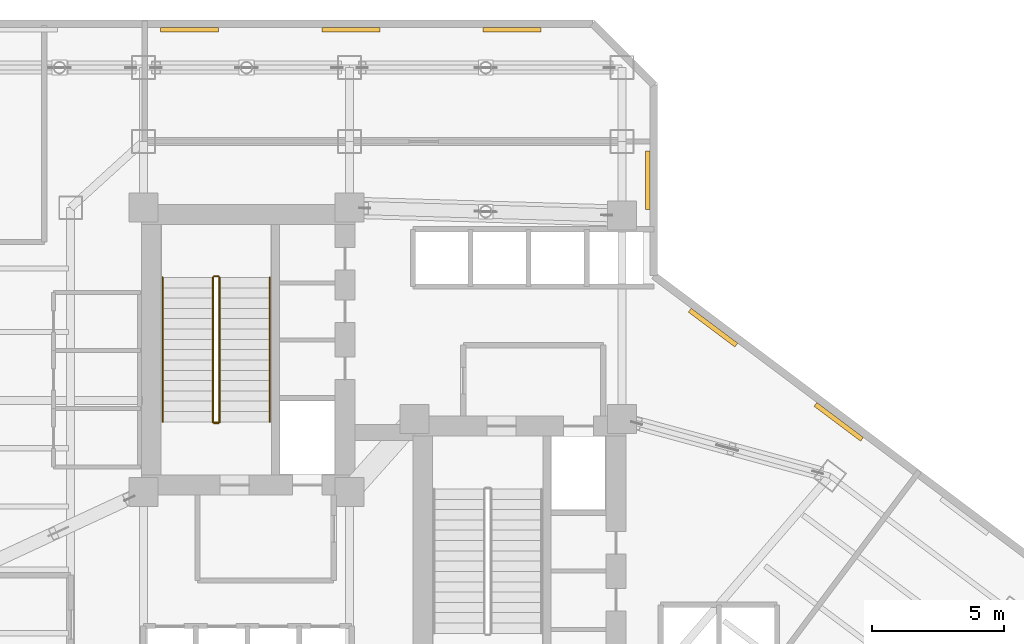
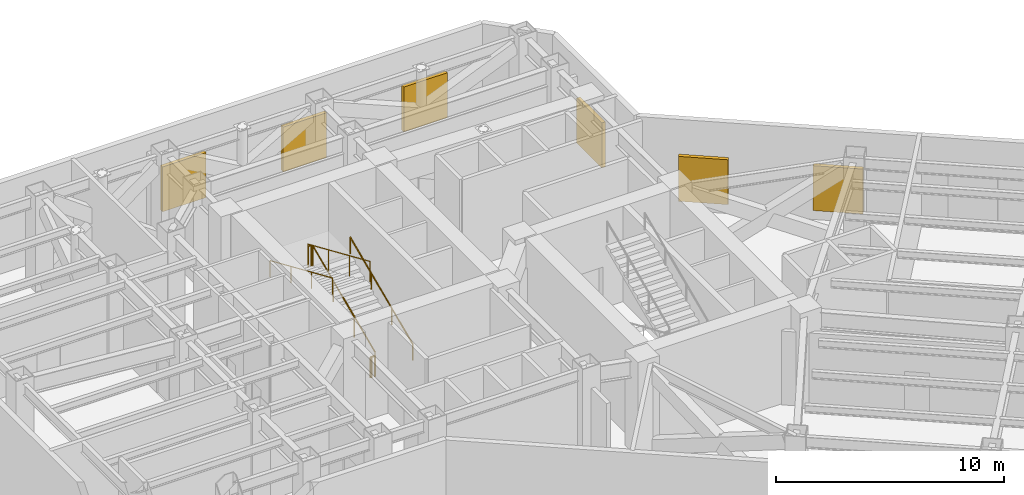
# One storey, part 14 of 14: 7 railings, 6 shading devices.
"""IFC4 building model written with IfcOpenShell, lengths in metres."""

import ifcopenshell
import ifcopenshell.guid

model = None  # the IFC model being written
_history = None  # IfcOwnerHistory: only IFC2X3 demands one
_inside = {}  # id of a spatial element -> (the spatial element, [elements in it])
_under = {}  # id of a project, library or spatial element -> (it, [spatial elements below it])
_declared = {}  # id of a project -> (the project, [libraries it declares])
_typed = {}  # id of a type object -> (the type object, [elements of that type])
_made_of = {}  # id of a material, layer set ... -> (it, [elements and type objects made of it])


def new_model(schema):
    """Start an empty IFC model of exactly this schema.

    Asked for "IFC4X3", IfcOpenShell would pick the latest addendum, in which some entities
    have other attributes; the version numbers below select the first issue.
    IFC2X3 requires an IfcOwnerHistory on every rooted entity: one is made here for all.
    """
    global model, _history
    if schema == "IFC4X3":
        model = ifcopenshell.file(schema_version=(4, 3, 0, 0))
    else:
        model = ifcopenshell.file(schema=schema)
    _inside.clear()
    _under.clear()
    _declared.clear()
    _typed.clear()
    _made_of.clear()
    _history = None
    if model.schema == "IFC2X3":
        org = make("IfcOrganization", Name="unknown")
        user = make(
            "IfcPersonAndOrganization",
            ThePerson=make("IfcPerson", FamilyName="unknown"),
            TheOrganization=org,
        )
        app = make(
            "IfcApplication",
            ApplicationDeveloper=org,
            Version="unknown",
            ApplicationFullName="unknown",
            ApplicationIdentifier="unknown",
        )
        _history = make(
            "IfcOwnerHistory",
            OwningUser=user,
            OwningApplication=app,
            ChangeAction="ADDED",
            CreationDate=0,
        )
    return model


def make(cls, **values):
    """One entity of the class cls with the attributes given. An attribute that is None is left unset."""
    return model.create_entity(
        cls, **{name: value for name, value in values.items() if value is not None}
    )


def rooted(cls, **values):
    """An entity with a GlobalId (a new one), such as an element, a storey or a relation."""
    return make(cls, GlobalId=ifcopenshell.guid.new(), OwnerHistory=_history, **values)


def si_unit(unit_type, name, prefix=None):
    """IfcSIUnit, for example si_unit("LENGTHUNIT", "METRE", prefix="MILLI")."""
    return make("IfcSIUnit", UnitType=unit_type, Prefix=prefix, Name=name)


def assignment(units):
    """IfcUnitAssignment: the units of a project."""
    return None if units is None else make("IfcUnitAssignment", Units=units)


def point(xyz):
    """IfcCartesianPoint."""
    return None if xyz is None else make("IfcCartesianPoint", Coordinates=xyz)


def direction(xyz):
    """IfcDirection."""
    return None if xyz is None else make("IfcDirection", DirectionRatios=xyz)


def frame(location, z_axis=None, x_axis=None):
    """IfcAxis2Placement3D, a coordinate frame: its origin and axes. An axis left out is left unset."""
    return make(
        "IfcAxis2Placement3D",
        Location=point(location),
        Axis=direction(z_axis),
        RefDirection=direction(x_axis),
    )


def frame_2d(location, x_axis=None):
    """IfcAxis2Placement2D, a coordinate frame in the plane: its origin and x axis."""
    return make(
        "IfcAxis2Placement2D", Location=point(location), RefDirection=direction(x_axis)
    )


def origin():
    """The frame at (0, 0, 0) with its axes left unset."""
    return frame((0.0, 0.0, 0.0))


def origin_2d():
    """The frame at (0, 0) in the plane with its x axis left unset."""
    return frame_2d((0.0, 0.0))


def place(relative_to, where):
    """IfcLocalPlacement: puts the frame where relative to a parent placement (None: the world)."""
    return make(
        "IfcLocalPlacement", PlacementRelTo=relative_to, RelativePlacement=where
    )


def context(
    kind, dimensions, precision=None, world=None, true_north=None, identifier=None
):
    """IfcGeometricRepresentationContext, for example the 3D "Model" context."""
    return make(
        "IfcGeometricRepresentationContext",
        ContextIdentifier=identifier,
        ContextType=kind,
        CoordinateSpaceDimension=dimensions,
        Precision=precision,
        WorldCoordinateSystem=world,
        TrueNorth=true_north,
    )


def subcontext(parent, identifier, kind, view, scale=None):
    """IfcGeometricRepresentationSubContext, for example "Body" below "Model"."""
    return make(
        "IfcGeometricRepresentationSubContext",
        ContextIdentifier=identifier,
        ContextType=kind,
        ParentContext=parent,
        TargetScale=scale,
        TargetView=view,
    )


def project(units=None, contexts=None):
    """IfcProject with its units and contexts."""
    return rooted(
        "IfcProject",
        Name="project",
        RepresentationContexts=contexts,
        UnitsInContext=assignment(units),
    )


def spatial(cls, under=None, at=None, **own):
    """A site, building, storey or space (cls), placed at a placement, below another one or the project."""
    s = rooted(cls, ObjectPlacement=at, **own)
    if under is not None:
        _under.setdefault(under.id(), (under, []))[1].append(s)
    return s


def profile(cls, at=None, kind="AREA", **sizes):
    """A parametric profile (cls). Its sizes go by their IFC names, for example OverallWidth=200.0."""
    return make(cls, ProfileType=kind, Position=at, **sizes)


def rectangle(**sizes):
    """IfcRectangleProfileDef."""
    return profile("IfcRectangleProfileDef", **sizes)


def circle(**sizes):
    """IfcCircleProfileDef."""
    return profile("IfcCircleProfileDef", **sizes)


def extrude(swept, where, along, depth):
    """IfcExtrudedAreaSolid: the profile swept, set in the frame where, extruded along a direction by depth."""
    return make(
        "IfcExtrudedAreaSolid",
        SweptArea=swept,
        Position=where,
        ExtrudedDirection=direction(along),
        Depth=depth,
    )


def shape(context_of_items, identifier, shape_type, items):
    """IfcShapeRepresentation: the items that make up one representation, for example the "Body"."""
    return make(
        "IfcShapeRepresentation",
        ContextOfItems=context_of_items,
        RepresentationIdentifier=identifier,
        RepresentationType=shape_type,
        Items=items,
    )


def material(Name=None, Category=None):
    """IfcMaterial."""
    return make("IfcMaterial", Name=Name, Category=Category)


def layer(
    of_material, thickness, ventilated=None, Name=None, Category=None, Priority=None
):
    """IfcMaterialLayer: one layer of a wall or slab, of a material (None: an air gap)."""
    return make(
        "IfcMaterialLayer",
        Material=of_material,
        LayerThickness=thickness,
        IsVentilated=ventilated,
        Name=Name,
        Category=Category,
        Priority=Priority,
    )


def layer_set(layers, Name=None):
    """IfcMaterialLayerSet."""
    return make("IfcMaterialLayerSet", MaterialLayers=layers, LayerSetName=Name)


def made_of(thing, what):
    """Note that an element or type object is made of a material, layer set ...; save() writes the relation."""
    if what is not None:
        _made_of.setdefault(what.id(), (what, []))[1].append(thing)
    return thing


def type_object(cls, material=None, **own):
    """A type object (cls), such as IfcWallType, which elements share."""
    return made_of(rooted(cls, **own), material)


def element(
    cls,
    number,
    at=None,
    inside=None,
    cuts=None,
    type_object=None,
    material=None,
    context=None,
    identifier="Body",
    shape_type=None,
    held_by="IfcProductDefinitionShape",
    body=None,
    shapes=None,
    **own,
):
    """One element of the class cls, such as IfcWall. Its Tag is "e" and its number.

    at: its placement. inside: the storey or other place that contains it. cuts: it is an
    opening in that element (IfcRelVoidsElement). A single representation is given by context,
    identifier, shape_type and body (its items); several are given by shapes. held_by: the class
    of the entity that holds the representations. save() writes the other relations.
    """
    e = rooted(cls, Tag="e%d" % number, ObjectPlacement=at, **own)
    if body is not None:
        shapes = [shape(context, identifier, shape_type, body)]
    if shapes is not None:
        e.Representation = make(held_by, Representations=shapes)
    if inside is not None:
        _inside.setdefault(inside.id(), (inside, []))[1].append(e)
    if cuts is not None:
        rooted(
            "IfcRelVoidsElement", RelatingBuildingElement=cuts, RelatedOpeningElement=e
        )
    if type_object is not None:
        _typed.setdefault(type_object.id(), (type_object, []))[1].append(e)
    return made_of(e, material)


def aggregate(whole, parts):
    """IfcRelAggregates: a whole, such as a stair, and the parts it consists of."""
    return rooted("IfcRelAggregates", RelatingObject=whole, RelatedObjects=parts)


def save(model, path):
    """Write the relations noted so far, then the file.

    IfcRelAggregates (storeys below a building ...), IfcRelContainedInSpatialStructure (elements
    in a storey), IfcRelDefinesByType, IfcRelAssociatesMaterial and IfcRelDeclares: one each for
    every whole, place, type object, material and project.
    """
    for whole, parts in _under.values():
        aggregate(whole, parts)
    for where, things in _inside.values():
        rooted(
            "IfcRelContainedInSpatialStructure",
            RelatedElements=things,
            RelatingStructure=where,
        )
    for kind, things in _typed.values():
        rooted("IfcRelDefinesByType", RelatedObjects=things, RelatingType=kind)
    for what, things in _made_of.values():
        rooted("IfcRelAssociatesMaterial", RelatedObjects=things, RelatingMaterial=what)
    for by, libraries in _declared.values():
        rooted("IfcRelDeclares", RelatingContext=by, RelatedDefinitions=libraries)
    model.write(path)


model = new_model("IFC4")

# Units and contexts
model_context = context("Model", 3, precision=1e-05, world=origin(), true_north=direction((0.0, 1.0)))
body_context = subcontext(model_context, "Body", "Model", "MODEL_VIEW")
ifc_project = project(units=[si_unit("LENGTHUNIT", "METRE"), si_unit("AREAUNIT", "SQUARE_METRE"), si_unit("VOLUMEUNIT", "CUBIC_METRE"), si_unit("PLANEANGLEUNIT", "RADIAN"), si_unit("MASSUNIT", "GRAM", prefix="KILO")], contexts=[model_context])

# Site, building, storey
site_placement = place(None, origin())
site = spatial("IfcSite", under=ifc_project, at=site_placement, CompositionType="ELEMENT")
building_placement = place(site_placement, origin())
building = spatial("IfcBuilding", under=site, at=building_placement, Name="Hatsunagi Terrace Concourse", CompositionType="ELEMENT")
storey_placement = place(building_placement, frame((0.0, 0.0, 91.35009765625)))
storey = spatial("IfcBuildingStorey", under=building, at=storey_placement, Name="L24", CompositionType="ELEMENT", Elevation=91.35009765625)

# Shading devices
ifc_material_1 = material(Name="Powder-Coated Aluminium Acoustic Louvre", Category="aluminium")
ifc_layer_1 = layer(ifc_material_1, 0.179931640625)
ifc_layer_set_1 = layer_set([ifc_layer_1], Name="PlantAcousticLouvre_180")
shading_device_type = type_object("IfcShadingDeviceType", Name="PlantAcousticLouvre_180", PredefinedType="JALOUSIE", material=ifc_layer_set_1)
for number, where, z_axis, x_axis, name in (
    (1, (47.09912109375, 38.762939453125, 0.599853515625), (0.0, 0.0, 1.0), (0.80000835285, -0.599988862705, 0.0), "Plant Acoustic Louvre L24-01-1"),
    (2, (51.85302734375, 35.197998046875, 0.599853515625), (0.0, 0.0, 1.0), (0.80000835285, -0.599988862705, 0.0), "Plant Acoustic Louvre L24-01-2"),
    (3, (27.300048828125, 50.030029296875, 0.599853515625), (0.0, 0.0, 1.0), (1.0, 0.0, 0.0), "Plant Acoustic Louvre L24-11-3"),
    (4, (33.39697265625, 50.030029296875, 0.599853515625), (0.0, 0.0, 1.0), (1.0, 0.0, 0.0), "Plant Acoustic Louvre L24-11-4"),
    (5, (39.493896484375, 50.030029296875, 0.599853515625), (0.0, 0.0, 1.0), (1.0, 0.0, 0.0), "Plant Acoustic Louvre L24-11-5"),
    (6, (44.6298828125, 44.3359375, 0.599853515625), (0.0, 0.0, 1.0), (0.0, -1.0, 0.0), "Plant Acoustic Louvre L24-13-1"),
):
    element("IfcShadingDevice", number, at=place(storey_placement, frame(where, z_axis=z_axis, x_axis=x_axis)), inside=storey, type_object=shading_device_type, Name=name, PredefinedType="JALOUSIE", context=body_context, shape_type="SweptSolid", body=[
        extrude(rectangle(XDim=2.199951171875, YDim=0.179931640625, at=origin_2d()), origin(), (0.0, 0.0, 1.0), 2.39990234375),
    ])

# Railings
ifc_material_2 = material(Name="Stainless steel", Category="steel")
ifc_layer_2 = layer(ifc_material_2, 0.044921875)
ifc_layer_set_2 = layer_set([ifc_layer_2], Name="StairPitchHandrail_Tower2000")
railing_type_1 = type_object("IfcRailingType", Name="StairPitchHandrail_Tower2000", PredefinedType="HANDRAIL", material=ifc_layer_set_2)
railing_1_placement = place(storey_placement, frame((30.330078125, 35.199951171875, 0.169921875)))
element("IfcRailing", 7, at=railing_1_placement, inside=storey, type_object=railing_type_1, Name="L24 ST-A stair handrail 1", PredefinedType="HANDRAIL", context=body_context, shape_type="SweptSolid", body=[
    extrude(circle(Radius=0.02392578125, at=origin_2d()), frame((0.0, 0.0, 0.8759765625), z_axis=(0.0, 0.916702124435, 0.39957128908), x_axis=(-1.0, 0.0, 0.0)), (0.0, 0.0, 1.0), 5.9560546875),
    extrude(circle(Radius=0.02099609375, at=origin_2d()), origin(), (0.0, 0.0, 1.0), 0.851806640625),
    extrude(circle(Radius=0.02099609375, at=origin_2d()), frame((0.0, 1.820068359375, 0.793212890625)), (0.0, 0.0, 1.0), 0.851806640625),
    extrude(circle(Radius=0.02099609375, at=origin_2d()), frame((0.0, 3.639892578125, 1.586669921875)), (0.0, 0.0, 1.0), 0.851806640625),
    extrude(circle(Radius=0.02099609375, at=origin_2d()), frame((0.0, 5.4599609375, 2.3798828125)), (0.0, 0.0, 1.0), 0.851806640625),
])
railing_2_placement = place(storey_placement, frame((26.280029296875, 40.659912109375, 2.719970703125)))
element("IfcRailing", 8, at=railing_2_placement, inside=storey, type_object=railing_type_1, Name="L24 ST-A stair handrail 2", PredefinedType="HANDRAIL", context=body_context, shape_type="SweptSolid", body=[
    extrude(circle(Radius=0.02392578125, at=origin_2d()), frame((0.0, 0.0, 0.8759765625), z_axis=(0.0, -0.916702124435, 0.39957128908), x_axis=(1.0, 0.0, 0.0)), (0.0, 0.0, 1.0), 5.9560546875),
    extrude(circle(Radius=0.02099609375, at=origin_2d()), origin(), (0.0, 0.0, 1.0), 0.851806640625),
    extrude(circle(Radius=0.02099609375, at=origin_2d()), frame((0.0, -1.820068359375, 0.793212890625)), (0.0, 0.0, 1.0), 0.851806640625),
    extrude(circle(Radius=0.02099609375, at=origin_2d()), frame((0.0, -3.639892578125, 1.586669921875)), (0.0, 0.0, 1.0), 0.851806640625),
    extrude(circle(Radius=0.02099609375, at=origin_2d()), frame((0.0, -5.4599609375, 2.3798828125)), (0.0, 0.0, 1.0), 0.851806640625),
])
ifc_material_3 = material(Name="Stainless steel", Category="steel")
ifc_layer_3 = layer(ifc_material_3, 0.06005859375)
ifc_layer_set_3 = layer_set([ifc_layer_3], Name="StairWellGuard_Tower2000")
railing_type_2 = type_object("IfcRailingType", Name="StairWellGuard_Tower2000", PredefinedType="BALUSTRADE", material=ifc_layer_set_3)
railing_3_placement = place(storey_placement, frame((28.429931640625, 35.199951171875, 0.169921875)))
element("IfcRailing", 9, at=railing_3_placement, inside=storey, type_object=railing_type_2, Name="L24 ST-A stair guard 1", PredefinedType="BALUSTRADE", context=body_context, shape_type="SweptSolid", body=[
    extrude(circle(Radius=0.02392578125, at=origin_2d()), frame((0.0, 0.0, 1.09619140625), z_axis=(0.0, 0.916702124435, 0.39957128908), x_axis=(-1.0, 0.0, 0.0)), (0.0, 0.0, 1.0), 5.9560546875),
    extrude(circle(Radius=0.02099609375, at=origin_2d()), origin(), (0.0, 0.0, 1.0), 1.072021484375),
    extrude(circle(Radius=0.02099609375, at=origin_2d()), frame((0.0, 1.820068359375, 0.793212890625)), (0.0, 0.0, 1.0), 1.072021484375),
    extrude(circle(Radius=0.02099609375, at=origin_2d()), frame((0.0, 3.639892578125, 1.586669921875)), (0.0, 0.0, 1.0), 1.072021484375),
    extrude(circle(Radius=0.02099609375, at=origin_2d()), frame((0.0, 5.4599609375, 2.3798828125)), (0.0, 0.0, 1.0), 1.072021484375),
])
railing_4_placement = place(storey_placement, frame((28.3798828125, 40.7099609375, 2.5498046875)))
element("IfcRailing", 10, at=railing_4_placement, inside=storey, type_object=railing_type_2, Name="L24 ST-A stair guard 2", PredefinedType="BALUSTRADE", context=body_context, shape_type="SweptSolid", body=[
    extrude(circle(Radius=0.02392578125, at=origin_2d()), frame((0.0, 0.0, 1.09619140625), z_axis=(-1.0, 0.0, 0.0), x_axis=(0.0, -1.0, 0.0)), (0.0, 0.0, 1.0), 0.14990234375),
    extrude(circle(Radius=0.02099609375, at=origin_2d()), origin(), (0.0, 0.0, 1.0), 1.072021484375),
    extrude(circle(Radius=0.02099609375, at=origin_2d()), frame((-0.14990234375, 0.0, 0.0)), (0.0, 0.0, 1.0), 1.072021484375),
])
railing_5_placement = place(storey_placement, frame((28.179931640625, 40.659912109375, 2.719970703125)))
element("IfcRailing", 11, at=railing_5_placement, inside=storey, type_object=railing_type_2, Name="L24 ST-A stair guard 3", PredefinedType="BALUSTRADE", context=body_context, shape_type="SweptSolid", body=[
    extrude(circle(Radius=0.02392578125, at=origin_2d()), frame((0.0, 0.0, 1.09619140625), z_axis=(0.0, -0.916702124435, 0.39957128908), x_axis=(1.0, 0.0, 0.0)), (0.0, 0.0, 1.0), 5.9560546875),
    extrude(circle(Radius=0.02099609375, at=origin_2d()), origin(), (0.0, 0.0, 1.0), 1.072021484375),
    extrude(circle(Radius=0.02099609375, at=origin_2d()), frame((0.0, -1.820068359375, 0.793212890625)), (0.0, 0.0, 1.0), 1.072021484375),
    extrude(circle(Radius=0.02099609375, at=origin_2d()), frame((0.0, -3.639892578125, 1.586669921875)), (0.0, 0.0, 1.0), 1.072021484375),
    extrude(circle(Radius=0.02099609375, at=origin_2d()), frame((0.0, -5.4599609375, 2.3798828125)), (0.0, 0.0, 1.0), 1.072021484375),
])
railing_6_placement = place(storey_placement, frame((28.3798828125, 35.14990234375, 0.0)))
element("IfcRailing", 12, at=railing_6_placement, inside=storey, type_object=railing_type_2, Name="L24 ST-A stair guard 4", PredefinedType="BALUSTRADE", context=body_context, shape_type="SweptSolid", body=[
    extrude(circle(Radius=0.02392578125, at=origin_2d()), frame((0.0, 0.0, 1.09619140625), z_axis=(-1.0, 0.0, 0.0), x_axis=(0.0, -1.0, 0.0)), (0.0, 0.0, 1.0), 0.14990234375),
    extrude(circle(Radius=0.02099609375, at=origin_2d()), origin(), (0.0, 0.0, 1.0), 1.072021484375),
    extrude(circle(Radius=0.02099609375, at=origin_2d()), frame((-0.14990234375, 0.0, 0.0)), (0.0, 0.0, 1.0), 1.072021484375),
])
ifc_material_4 = material(Name="Stainless Steel SUS316 Post-and-Rail Guard", Category="steel")
ifc_layer_4 = layer(ifc_material_4, 0.080078125)
ifc_layer_set_4 = layer_set([ifc_layer_4], Name="TerracePlantedGuardRail_1200")
railing_type_3 = type_object("IfcRailingType", Name="TerracePlantedGuardRail_1200", PredefinedType="GUARDRAIL", material=ifc_layer_set_4)
railing_7_placement = place(storey_placement, frame((28.179931640625, 35.179931640625, 0.0)))
element("IfcRailing", 13, at=railing_7_placement, inside=storey, type_object=railing_type_3, Name="Stair ST-A Well Closure Guard L24", PredefinedType="GUARDRAIL", context=body_context, shape_type="SweptSolid", body=[
    extrude(circle(Radius=0.02392578125, at=origin_2d()), frame((0.0, 0.0, 1.09619140625), z_axis=(1.0, 0.0, 0.0), x_axis=(0.0, 1.0, 0.0)), (0.0, 0.0, 1.0), 0.25),
    extrude(circle(Radius=0.02099609375, at=origin_2d()), origin(), (0.0, 0.0, 1.0), 1.072021484375),
    extrude(circle(Radius=0.02099609375, at=origin_2d()), frame((0.25, 0.0, 0.0)), (0.0, 0.0, 1.0), 1.072021484375),
])

save(model, "model.ifc")
